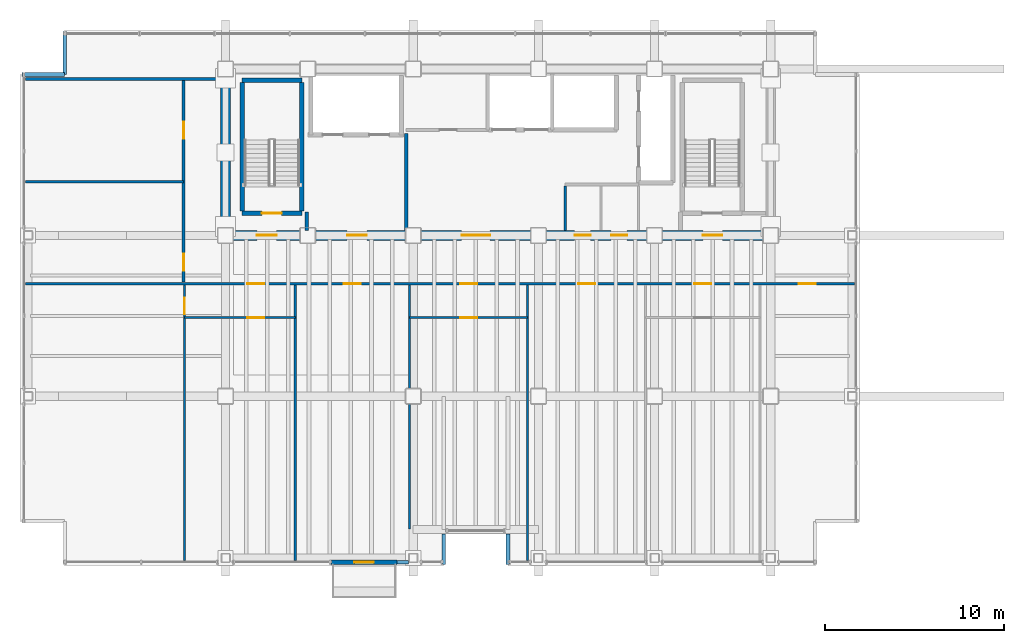
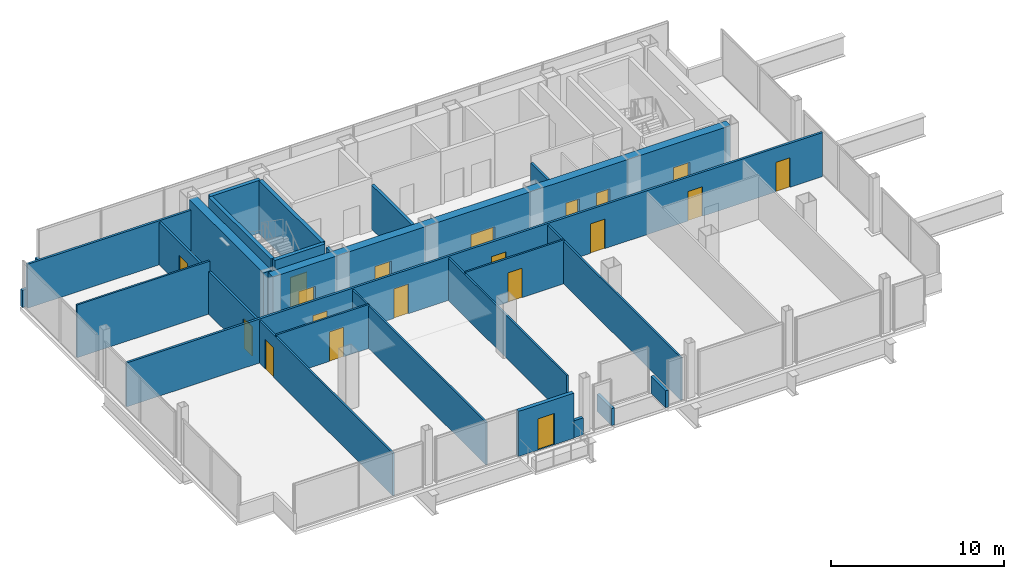
# One storey, part 22 of 24: 25 walls, 19 doors, 19 openings.
"""IFC4 building model written with IfcOpenShell, lengths in metres."""

from ifc_helpers import new_model, si_unit, direction, frame, frame_2d, origin, place, context, subcontext, project, spatial, rectangle, extrude, material, layer, layer_set, type_object, element, fill, save


model = new_model("IFC4")

# Units and contexts
model_context = context("Model", 3, precision=1e-05, world=origin(), true_north=direction((0.0, 1.0)))
body_context = subcontext(model_context, "Body", "Model", "MODEL_VIEW")
ifc_project = project(units=[si_unit("LENGTHUNIT", "METRE"), si_unit("AREAUNIT", "SQUARE_METRE"), si_unit("VOLUMEUNIT", "CUBIC_METRE"), si_unit("PLANEANGLEUNIT", "RADIAN"), si_unit("MASSUNIT", "GRAM", prefix="KILO")], contexts=[model_context])

# Site, building, storey
site_placement = place(None, origin())
site = spatial("IfcSite", under=ifc_project, at=site_placement, CompositionType="ELEMENT")
building_placement = place(site_placement, origin())
building = spatial("IfcBuilding", under=site, at=building_placement, Name="Noeulbin Bourse Tower", CompositionType="ELEMENT")
storey_placement = place(building_placement, frame((0.0, 0.0, 114.89990234375)))
storey = spatial("IfcBuildingStorey", under=building, at=storey_placement, Name="L28", CompositionType="ELEMENT", Elevation=114.89990234375)

# Wall, openings, doors
ifc_material_1 = material(Name="Concrete C60/75", Category="concrete")
ifc_layer_1 = layer(ifc_material_1, 0.550048828125)
ifc_layer_set_1 = layer_set([ifc_layer_1], Name="Concrete C60/75")
wall_type_1 = type_object("IfcWallType", Name="WAL-CORE-550", PredefinedType="SHEAR", material=ifc_layer_set_1)
wall_1_placement = place(storey_placement, frame((13.5, 29.0, 0.0), z_axis=(0.0, 0.0, 1.0), x_axis=(1.0, 0.0, 0.0)))
wall_1 = element("IfcWall", 1, at=wall_1_placement, inside=storey, type_object=wall_type_1, Name="Rear Core South Shear Wall L28", PredefinedType="SHEAR", context=body_context, shape_type="SweptSolid", body=[
    extrude(rectangle(XDim=30.5, YDim=0.550048828125, at=frame_2d((15.25, 0.0))), origin(), (0.0, 0.0, 1.0), 3.72021484375),
])
opening_1_placement = place(wall_1_placement, frame((1.75, 0.0, 0.0)))
opening_1 = element("IfcOpeningElement", 2, at=opening_1_placement, cuts=wall_1, Name="Opening FD-11", PredefinedType="OPENING", context=body_context, shape_type="SweptSolid", body=[
    extrude(rectangle(XDim=1.10009765625, YDim=2.080078125, at=frame_2d((0.550048828125, 1.0400390625))), frame((0.0, 0.284912109375, 0.0), z_axis=(0.0, -1.0, 0.0), x_axis=(1.0, 0.0, 0.0)), (0.0, 0.0, 1.0), 0.570068359375),
])
opening_2_placement = place(wall_1_placement, frame((26.699951171875, 0.0, 0.0)))
opening_2 = element("IfcOpeningElement", 3, at=opening_2_placement, cuts=wall_1, Name="Opening FD-11", PredefinedType="OPENING", context=body_context, shape_type="SweptSolid", body=[
    extrude(rectangle(XDim=1.10009765625, YDim=2.080078125, at=frame_2d((0.550048828125, 1.0400390625))), frame((0.0, 0.284912109375, 0.0), z_axis=(0.0, -1.0, 0.0), x_axis=(1.0, 0.0, 0.0)), (0.0, 0.0, 1.0), 0.570068359375),
])
opening_3_placement = place(wall_1_placement, frame((6.800048828125, 0.0, 0.0)))
opening_3 = element("IfcOpeningElement", 4, at=opening_3_placement, cuts=wall_1, Name="Opening FD-11", PredefinedType="OPENING", context=body_context, shape_type="SweptSolid", body=[
    extrude(rectangle(XDim=1.10009765625, YDim=2.080078125, at=frame_2d((0.550048828125, 1.0400390625))), frame((0.0, 0.284912109375, 0.0), z_axis=(0.0, -1.0, 0.0), x_axis=(1.0, 0.0, 0.0)), (0.0, 0.0, 1.0), 0.570068359375),
])
opening_4_placement = place(wall_1_placement, frame((13.199951171875, 0.0, 0.0)))
opening_4 = element("IfcOpeningElement", 5, at=opening_4_placement, cuts=wall_1, Name="Opening ID-16", PredefinedType="OPENING", context=body_context, shape_type="SweptSolid", body=[
    extrude(rectangle(XDim=1.60009765625, YDim=2.080078125, at=frame_2d((0.800048828125, 1.0400390625))), frame((0.0, 0.284912109375, 0.0), z_axis=(0.0, -1.0, 0.0), x_axis=(1.0, 0.0, 0.0)), (0.0, 0.0, 1.0), 0.570068359375),
])
opening_5_placement = place(wall_1_placement, frame((19.530029296875, 0.0, 0.0)))
opening_5 = element("IfcOpeningElement", 6, at=opening_5_placement, cuts=wall_1, Name="Opening FD-09", PredefinedType="OPENING", context=body_context, shape_type="SweptSolid", body=[
    extrude(rectangle(XDim=0.89990234375, YDim=2.080078125, at=frame_2d((0.449951171875, 1.0400390625))), frame((0.0, 0.284912109375, 0.0), z_axis=(0.0, -1.0, 0.0), x_axis=(1.0, 0.0, 0.0)), (0.0, 0.0, 1.0), 0.570068359375),
])
opening_6_placement = place(wall_1_placement, frame((21.570068359375, 0.0, 0.0)))
opening_6 = element("IfcOpeningElement", 7, at=opening_6_placement, cuts=wall_1, Name="Opening FD-09", PredefinedType="OPENING", context=body_context, shape_type="SweptSolid", body=[
    extrude(rectangle(XDim=0.89990234375, YDim=2.080078125, at=frame_2d((0.449951171875, 1.0400390625))), frame((0.0, 0.284912109375, 0.0), z_axis=(0.0, -1.0, 0.0), x_axis=(1.0, 0.0, 0.0)), (0.0, 0.0, 1.0), 0.570068359375),
])
ifc_material_2 = material(Name="Acoustic Glazed Aluminium", Category="aluminium")
door_type_1 = type_object("IfcDoorType", Name="DR-DBL-1600", OperationType="DOUBLE_DOOR_SINGLE_SWING", PredefinedType="DOOR", material=ifc_material_2)
door_1_placement = place(opening_4_placement, origin())
door_1 = element("IfcDoor", 8, at=door_1_placement, inside=storey, type_object=door_type_1, Name="Passenger Lift Lobby Portal L28", OperationType="DOUBLE_DOOR_SINGLE_SWING", OverallHeight=2.080078125, OverallWidth=1.60009765625, PredefinedType="DOOR", context=body_context, shape_type="SweptSolid", body=[
    extrude(rectangle(XDim=1.60009765625, YDim=2.080078125, at=frame_2d((0.800048828125, 1.0400390625))), frame((0.0, 0.02490234375, 0.0), z_axis=(0.0, -1.0, 0.0), x_axis=(1.0, 0.0, 0.0)), (0.0, 0.0, 1.0), 0.050048828125),
])
fill(opening_4, door_1)
ifc_material_3 = material(Name="Fire-Rated Timber Core", Category="wood")
door_type_2 = type_object("IfcDoorType", Name="DR-FD30-900", OperationType="SINGLE_SWING_RIGHT", PredefinedType="DOOR", material=ifc_material_3)
door_2_placement = place(opening_5_placement, origin())
door_2 = element("IfcDoor", 9, at=door_2_placement, inside=storey, type_object=door_type_2, Name="Interior Door L28-06", OperationType="SINGLE_SWING_RIGHT", OverallHeight=2.080078125, OverallWidth=0.89990234375, PredefinedType="DOOR", context=body_context, shape_type="SweptSolid", body=[
    extrude(rectangle(XDim=0.89990234375, YDim=2.080078125, at=frame_2d((0.449951171875, 1.0400390625))), frame((0.0, 0.02490234375, 0.0), z_axis=(0.0, -1.0, 0.0), x_axis=(1.0, 0.0, 0.0)), (0.0, 0.0, 1.0), 0.050048828125),
])
fill(opening_5, door_2)
door_3_placement = place(opening_6_placement, origin())
door_3 = element("IfcDoor", 10, at=door_3_placement, inside=storey, type_object=door_type_2, Name="Interior Door L28-07", OperationType="SINGLE_SWING_LEFT", OverallHeight=2.080078125, OverallWidth=0.89990234375, PredefinedType="DOOR", context=body_context, shape_type="SweptSolid", body=[
    extrude(rectangle(XDim=0.89990234375, YDim=2.080078125, at=frame_2d((0.449951171875, 1.0400390625))), frame((0.0, 0.02490234375, 0.0), z_axis=(0.0, -1.0, 0.0), x_axis=(1.0, 0.0, 0.0)), (0.0, 0.0, 1.0), 0.050048828125),
])
fill(opening_6, door_3)
ifc_material_4 = material(Name="Fire-Rated Insulated Steel", Category="steel")
door_type_3 = type_object("IfcDoorType", Name="DR-FD60-1100", OperationType="SINGLE_SWING_LEFT", PredefinedType="DOOR", material=ifc_material_4)
door_4_placement = place(opening_1_placement, origin())
door_4 = element("IfcDoor", 11, at=door_4_placement, inside=storey, type_object=door_type_3, Name="West Stair Lobby Door L28", OperationType="SINGLE_SWING_LEFT", OverallHeight=2.080078125, OverallWidth=1.10009765625, PredefinedType="DOOR", context=body_context, shape_type="SweptSolid", body=[
    extrude(rectangle(XDim=1.10009765625, YDim=2.080078125, at=frame_2d((0.550048828125, 1.0400390625))), frame((0.0, 0.02490234375, 0.0), z_axis=(0.0, -1.0, 0.0), x_axis=(1.0, 0.0, 0.0)), (0.0, 0.0, 1.0), 0.050048828125),
])
fill(opening_1, door_4)
door_5_placement = place(opening_2_placement, origin())
door_5 = element("IfcDoor", 12, at=door_5_placement, inside=storey, type_object=door_type_3, Name="East Stair Lobby Door L28", OperationType="SINGLE_SWING_RIGHT", OverallHeight=2.080078125, OverallWidth=1.10009765625, PredefinedType="DOOR", context=body_context, shape_type="SweptSolid", body=[
    extrude(rectangle(XDim=1.10009765625, YDim=2.080078125, at=frame_2d((0.550048828125, 1.0400390625))), frame((0.0, 0.02490234375, 0.0), z_axis=(0.0, -1.0, 0.0), x_axis=(1.0, 0.0, 0.0)), (0.0, 0.0, 1.0), 0.050048828125),
])
fill(opening_2, door_5)
door_6_placement = place(opening_3_placement, origin())
door_6 = element("IfcDoor", 13, at=door_6_placement, inside=storey, type_object=door_type_3, Name="Firefighting Lobby Door L28", OperationType="SINGLE_SWING_LEFT", OverallHeight=2.080078125, OverallWidth=1.10009765625, PredefinedType="DOOR", context=body_context, shape_type="SweptSolid", body=[
    extrude(rectangle(XDim=1.10009765625, YDim=2.080078125, at=frame_2d((0.550048828125, 1.0400390625))), frame((0.0, 0.02490234375, 0.0), z_axis=(0.0, -1.0, 0.0), x_axis=(1.0, 0.0, 0.0)), (0.0, 0.0, 1.0), 0.050048828125),
])
fill(opening_3, door_6)

# Wall
wall_2_placement = place(storey_placement, frame((13.5, 29.35009765625, 0.0), z_axis=(0.0, 0.0, 1.0), x_axis=(0.0, 1.0, 0.0)))
element("IfcWall", 14, at=wall_2_placement, inside=storey, type_object=wall_type_1, Name="Rear Core West Shear Wall L28", PredefinedType="SHEAR", context=body_context, shape_type="SweptSolid", body=[
    extrude(rectangle(XDim=8.599853515625, YDim=0.550048828125, at=frame_2d((4.2998046875, 0.0))), origin(), (0.0, 0.0, 1.0), 3.72021484375),
])

# Wall, opening, door
ifc_material_5 = material(Name="Precast Concrete C40/50", Category="concrete")
ifc_layer_2 = layer(ifc_material_5, 0.25)
ifc_layer_set_2 = layer_set([ifc_layer_2], Name="Precast Concrete C40/50")
wall_type_2 = type_object("IfcWallType", Name="WAL-EXT-250", PredefinedType="STANDARD", material=ifc_layer_set_2)
wall_3_placement = place(storey_placement, frame((19.39990234375, 10.719970703125, 0.0), z_axis=(0.0, 0.0, 1.0), x_axis=(1.0, 0.0, 0.0)))
wall_3 = element("IfcWall", 15, at=wall_3_placement, inside=storey, type_object=wall_type_2, Name="Balcony Threshold Wall L28", PredefinedType="STANDARD", context=body_context, shape_type="SweptSolid", body=[
    extrude(rectangle(XDim=3.7001953125, YDim=0.25, at=frame_2d((1.85009765625, 0.0))), origin(), (0.0, 0.0, 1.0), 3.18017578125),
])
opening_7_placement = place(wall_3_placement, frame((1.300048828125, 0.0, 0.0)))
opening_7 = element("IfcOpeningElement", 16, at=opening_7_placement, cuts=wall_3, Name="Opening BD-11", PredefinedType="OPENING", context=body_context, shape_type="SweptSolid", body=[
    extrude(rectangle(XDim=1.10009765625, YDim=2.199951171875, at=frame_2d((0.550048828125, 1.10009765625))), frame((0.0, 0.135009765625, 0.0), z_axis=(0.0, -1.0, 0.0), x_axis=(1.0, 0.0, 0.0)), (0.0, 0.0, 1.0), 0.27001953125),
])
ifc_material_6 = material(Name="Thermally Broken Aluminium Framed Glass", Category="aluminium")
door_type_4 = type_object("IfcDoorType", Name="DR-BAL-1100", OperationType="SINGLE_SWING_LEFT", PredefinedType="DOOR", material=ifc_material_6)
door_7_placement = place(opening_7_placement, origin())
door_7 = element("IfcDoor", 17, at=door_7_placement, inside=storey, type_object=door_type_4, Name="Tree-Balcony Access Door BD-L28", OperationType="SINGLE_SWING_RIGHT", OverallHeight=2.199951171875, OverallWidth=1.10009765625, PredefinedType="DOOR", context=body_context, shape_type="SweptSolid", body=[
    extrude(rectangle(XDim=1.10009765625, YDim=2.199951171875, at=frame_2d((0.550048828125, 1.10009765625))), frame((0.0, 0.02490234375, 0.0), z_axis=(0.0, -1.0, 0.0), x_axis=(1.0, 0.0, 0.0)), (0.0, 0.0, 1.0), 0.050048828125),
])
fill(opening_7, door_7)

# Walls
ifc_material_7 = material(Name="Concrete C40/50", Category="concrete")
ifc_layer_3 = layer(ifc_material_7, 0.199951171875)
ifc_layer_set_3 = layer_set([ifc_layer_3], Name="Concrete C40/50")
wall_type_3 = type_object("IfcWallType", Name="WAL-FIRE-200", PredefinedType="STANDARD", material=ifc_layer_set_3)
wall_4_placement = place(storey_placement, frame((18.050048828125, 29.284912109375, 0.0), z_axis=(0.0, 0.0, 1.0), x_axis=(0.0, 1.0, 0.0)))
element("IfcWall", 18, at=wall_4_placement, inside=storey, type_object=wall_type_3, Name="Interior Partition Wall L28-10", PredefinedType="STANDARD", context=body_context, shape_type="SweptSolid", body=[
    extrude(rectangle(XDim=1.01513671875, YDim=0.199951171875, at=frame_2d((0.507568359375, 0.0))), origin(), (0.0, 0.0, 1.0), 3.300048828125),
])
wall_5_placement = place(storey_placement, frame((23.60009765625, 29.284912109375, 0.0), z_axis=(0.0, 0.0, 1.0), x_axis=(0.0, 1.0, 0.0)))
element("IfcWall", 19, at=wall_5_placement, inside=storey, type_object=wall_type_3, Name="Interior Partition Wall L28-12", PredefinedType="STANDARD", context=body_context, shape_type="SweptSolid", body=[
    extrude(rectangle(XDim=5.4150390625, YDim=0.199951171875, at=frame_2d((2.70751953125, 0.0))), origin(), (0.0, 0.0, 1.0), 3.10009765625),
])
ifc_layer_4 = layer(ifc_material_7, 0.199951171875)
ifc_layer_set_4 = layer_set([ifc_layer_4], Name="Concrete C40/50")
wall_type_4 = type_object("IfcWallType", Name="WAL-PAR-200", PredefinedType="PARAPET", material=ifc_layer_set_4)
wall_6_placement = place(storey_placement, frame((23.10009765625, 10.719970703125, 0.0), z_axis=(0.0, 0.0, 1.0), x_axis=(1.0, 0.0, 0.0)))
element("IfcWall", 20, at=wall_6_placement, inside=storey, type_object=wall_type_4, Name="Perimeter Pier Spandrel Parapet L28-S1", PredefinedType="PARAPET", context=body_context, shape_type="SweptSolid", body=[
    extrude(rectangle(XDim=0.6298828125, YDim=0.199951171875, at=frame_2d((0.31494140625, 0.0))), origin(), (0.0, 0.0, 1.0), 1.2001953125),
])
for number, where, z_axis, x_axis, name in (
    (21, (2.10009765625, 38.0, 0.0), (0.0, 0.0, 1.0), (1.0, 0.0, 0.0), "Corner Notch Parapet L28-NW1"),
    (22, (4.5, 38.0, 0.0), (0.0, 0.0, 1.0), (0.0, 1.0, 0.0), "Corner Notch Parapet L28-NW2"),
):
    element("IfcWall", number, at=place(storey_placement, frame(where, z_axis=z_axis, x_axis=x_axis)), inside=storey, type_object=wall_type_4, Name=name, PredefinedType="PARAPET", context=body_context, shape_type="SweptSolid", body=[
        extrude(rectangle(XDim=2.39990234375, YDim=0.199951171875, at=frame_2d((1.199951171875, 0.0))), origin(), (0.0, 0.0, 1.0), 1.2001953125),
    ])
for number, where, z_axis, x_axis, name in (
    (23, (25.699951171875, 10.60009765625, 0.0), (0.0, 0.0, 1.0), (0.0, 1.0, 0.0), "Sky-Garden Recess Parapet L28-W"),
    (24, (29.300048828125, 12.300048828125, 0.0), (0.0, 0.0, 1.0), (0.0, -1.0, 0.0), "Sky-Garden Recess Parapet L28-E"),
):
    element("IfcWall", number, at=place(storey_placement, frame(where, z_axis=z_axis, x_axis=x_axis)), inside=storey, type_object=wall_type_4, Name=name, PredefinedType="PARAPET", context=body_context, shape_type="SweptSolid", body=[
        extrude(rectangle(XDim=1.699951171875, YDim=0.199951171875, at=frame_2d((0.85009765625, 0.0))), origin(), (0.0, 0.0, 1.0), 1.2001953125),
    ])

# Wall, opening, door
ifc_material_8 = material(Name="Steel Stud Gypsum Partition", Category="steel")
ifc_layer_5 = layer(ifc_material_8, 0.1201171875)
ifc_layer_set_5 = layer_set([ifc_layer_5], Name="Steel Stud Gypsum Partition")
wall_type_5 = type_object("IfcWallType", Name="WAL-PRT-120", PredefinedType="PARTITIONING", material=ifc_layer_set_5)
wall_7_placement = place(storey_placement, frame((11.199951171875, 24.39990234375, 0.0), z_axis=(0.0, 0.0, 1.0), x_axis=(1.0, 0.0, 0.0)))
wall_7 = element("IfcWall", 25, at=wall_7_placement, inside=storey, type_object=wall_type_5, Name="Interior Partition Wall L28-06", PredefinedType="PARTITIONING", context=body_context, shape_type="SweptSolid", body=[
    extrude(rectangle(XDim=6.199951171875, YDim=0.1201171875, at=frame_2d((3.10009765625, 0.0))), origin(), (0.0, 0.0, 1.0), 3.10009765625),
])
opening_8_placement = place(wall_7_placement, frame((3.52490234375, 0.0, 0.0)))
opening_8 = element("IfcOpeningElement", 26, at=opening_8_placement, cuts=wall_7, Name="Opening ID-09", PredefinedType="OPENING", context=body_context, shape_type="SweptSolid", body=[
    extrude(rectangle(XDim=0.949951171875, YDim=2.080078125, at=frame_2d((0.47509765625, 1.0400390625))), frame((0.0, 0.070068359375, 0.0), z_axis=(0.0, -1.0, 0.0), x_axis=(1.0, 0.0, 0.0)), (0.0, 0.0, 1.0), 0.14013671875),
])
ifc_material_9 = material(Name="Acoustic Solid-Core Timber", Category="wood")
door_type_5 = type_object("IfcDoorType", Name="DR-SINGLE-950", OperationType="SINGLE_SWING_LEFT", PredefinedType="DOOR", material=ifc_material_9)
door_8_placement = place(opening_8_placement, origin())
door_8 = element("IfcDoor", 27, at=door_8_placement, inside=storey, type_object=door_type_5, Name="Interior Door L28-09", OperationType="SINGLE_SWING_LEFT", OverallHeight=2.080078125, OverallWidth=0.949951171875, PredefinedType="DOOR", context=body_context, shape_type="SweptSolid", body=[
    extrude(rectangle(XDim=0.949951171875, YDim=2.080078125, at=frame_2d((0.47509765625, 1.0400390625))), frame((0.0, 0.02490234375, 0.0), z_axis=(0.0, -1.0, 0.0), x_axis=(1.0, 0.0, 0.0)), (0.0, 0.0, 1.0), 0.050048828125),
])
fill(opening_8, door_8)

wall_8_placement = place(storey_placement, frame((23.800048828125, 24.39990234375, 0.0), z_axis=(0.0, 0.0, 1.0), x_axis=(1.0, 0.0, 0.0)))
wall_8 = element("IfcWall", 28, at=wall_8_placement, inside=storey, type_object=wall_type_5, Name="Interior Partition Wall L28-07", PredefinedType="PARTITIONING", context=body_context, shape_type="SweptSolid", body=[
    extrude(rectangle(XDim=6.599853515625, YDim=0.1201171875, at=frame_2d((3.2998046875, 0.0))), origin(), (0.0, 0.0, 1.0), 3.10009765625),
])
opening_9_placement = place(wall_8_placement, frame((2.824951171875, 0.0, 0.0)))
opening_9 = element("IfcOpeningElement", 29, at=opening_9_placement, cuts=wall_8, Name="Opening ID-09", PredefinedType="OPENING", context=body_context, shape_type="SweptSolid", body=[
    extrude(rectangle(XDim=0.949951171875, YDim=2.080078125, at=frame_2d((0.47509765625, 1.0400390625))), frame((0.0, 0.070068359375, 0.0), z_axis=(0.0, -1.0, 0.0), x_axis=(1.0, 0.0, 0.0)), (0.0, 0.0, 1.0), 0.14013671875),
])
door_9_placement = place(opening_9_placement, origin())
door_9 = element("IfcDoor", 30, at=door_9_placement, inside=storey, type_object=door_type_5, Name="Interior Door L28-12", OperationType="SINGLE_SWING_RIGHT", OverallHeight=2.080078125, OverallWidth=0.949951171875, PredefinedType="DOOR", context=body_context, shape_type="SweptSolid", body=[
    extrude(rectangle(XDim=0.949951171875, YDim=2.080078125, at=frame_2d((0.47509765625, 1.0400390625))), frame((0.0, 0.02490234375, 0.0), z_axis=(0.0, -1.0, 0.0), x_axis=(1.0, 0.0, 0.0)), (0.0, 0.0, 1.0), 0.050048828125),
])
fill(opening_9, door_9)

# Wall
wall_9_placement = place(storey_placement, frame((2.31005859375, 32.0, 0.0), z_axis=(0.0, 0.0, 1.0), x_axis=(1.0, 0.0, 0.0)))
element("IfcWall", 31, at=wall_9_placement, inside=storey, type_object=wall_type_5, Name="Interior Partition Wall L28-09", PredefinedType="PARTITIONING", context=body_context, shape_type="SweptSolid", body=[
    extrude(rectangle(XDim=8.83984375, YDim=0.1201171875, at=frame_2d((4.419921875, 0.0))), origin(), (0.0, 0.0, 1.0), 3.72021484375),
])

# Wall, opening, door
wall_10_placement = place(storey_placement, frame((11.199951171875, 10.81005859375, 0.0), z_axis=(0.0, 0.0, 1.0), x_axis=(0.0, 1.0, 0.0)))
wall_10 = element("IfcWall", 32, at=wall_10_placement, inside=storey, type_object=wall_type_5, Name="Interior Partition Wall L28-17", PredefinedType="PARTITIONING", context=body_context, shape_type="SweptSolid", body=[
    extrude(rectangle(XDim=15.405029296875, YDim=0.1201171875, at=frame_2d((7.70263671875, 0.0))), origin(), (0.0, 0.0, 1.0), 3.0),
])
opening_10_placement = place(wall_10_placement, frame((13.764892578125, 0.0, 0.0)))
opening_10 = element("IfcOpeningElement", 33, at=opening_10_placement, cuts=wall_10, Name="Opening ID-09", PredefinedType="OPENING", context=body_context, shape_type="SweptSolid", body=[
    extrude(rectangle(XDim=0.949951171875, YDim=2.080078125, at=frame_2d((0.47509765625, 1.0400390625))), frame((0.0, 0.070068359375, 0.0), z_axis=(0.0, -1.0, 0.0), x_axis=(1.0, 0.0, 0.0)), (0.0, 0.0, 1.0), 0.14013671875),
])
door_10_placement = place(opening_10_placement, origin())
door_10 = element("IfcDoor", 34, at=door_10_placement, inside=storey, type_object=door_type_5, Name="Interior Door L28-08", OperationType="SINGLE_SWING_RIGHT", OverallHeight=2.080078125, OverallWidth=0.949951171875, PredefinedType="DOOR", context=body_context, shape_type="SweptSolid", body=[
    extrude(rectangle(XDim=0.949951171875, YDim=2.080078125, at=frame_2d((0.47509765625, 1.0400390625))), frame((0.0, 0.02490234375, 0.0), z_axis=(0.0, -1.0, 0.0), x_axis=(1.0, 0.0, 0.0)), (0.0, 0.0, 1.0), 0.050048828125),
])
fill(opening_10, door_10)

# Walls
wall_11_placement = place(storey_placement, frame((17.39990234375, 10.81005859375, 0.0), z_axis=(0.0, 0.0, 1.0), x_axis=(0.0, 1.0, 0.0)))
element("IfcWall", 35, at=wall_11_placement, inside=storey, type_object=wall_type_5, Name="Interior Partition Wall L28-18", PredefinedType="PARTITIONING", context=body_context, shape_type="SweptSolid", body=[
    extrude(rectangle(XDim=15.405029296875, YDim=0.1201171875, at=frame_2d((7.70263671875, 0.0))), origin(), (0.0, 0.0, 1.0), 3.0),
])
wall_12_placement = place(storey_placement, frame((23.800048828125, 12.570068359375, 0.0), z_axis=(0.0, 0.0, 1.0), x_axis=(0.0, 1.0, 0.0)))
element("IfcWall", 36, at=wall_12_placement, inside=storey, type_object=wall_type_5, Name="Interior Partition Wall L28-19", PredefinedType="PARTITIONING", context=body_context, shape_type="SweptSolid", body=[
    extrude(rectangle(XDim=13.64501953125, YDim=0.1201171875, at=frame_2d((6.822509765625, 0.0))), origin(), (0.0, 0.0, 1.0), 3.0),
])
wall_13_placement = place(storey_placement, frame((30.39990234375, 10.81005859375, 0.0), z_axis=(0.0, 0.0, 1.0), x_axis=(0.0, 1.0, 0.0)))
element("IfcWall", 37, at=wall_13_placement, inside=storey, type_object=wall_type_5, Name="Interior Partition Wall L28-20", PredefinedType="PARTITIONING", context=body_context, shape_type="SweptSolid", body=[
    extrude(rectangle(XDim=15.405029296875, YDim=0.1201171875, at=frame_2d((7.70263671875, 0.0))), origin(), (0.0, 0.0, 1.0), 3.0),
])

# Wall, openings, doors
ifc_material_10 = material(Name="Steel Stud Acoustic Gypsum Board", Category="steel")
ifc_layer_6 = layer(ifc_material_10, 0.14990234375)
ifc_layer_set_6 = layer_set([ifc_layer_6], Name="Steel Stud Acoustic Gypsum Board")
wall_type_6 = type_object("IfcWallType", Name="WAL-PRT-150", PredefinedType="PARTITIONING", material=ifc_layer_set_6)
wall_14_placement = place(storey_placement, frame((2.31005859375, 26.300048828125, 0.0), z_axis=(0.0, 0.0, 1.0), x_axis=(1.0, 0.0, 0.0)))
wall_14 = element("IfcWall", 38, at=wall_14_placement, inside=storey, type_object=wall_type_6, Name="Interior Partition Wall L28-04", PredefinedType="PARTITIONING", context=body_context, shape_type="SweptSolid", body=[
    extrude(rectangle(XDim=46.3798828125, YDim=0.14990234375, at=frame_2d((23.18994140625, 0.0))), origin(), (0.0, 0.0, 1.0), 3.10009765625),
])
opening_11_placement = place(wall_14_placement, frame((12.4150390625, 0.0, 0.0)))
opening_11 = element("IfcOpeningElement", 39, at=opening_11_placement, cuts=wall_14, Name="Opening ID-09", PredefinedType="OPENING", context=body_context, shape_type="SweptSolid", body=[
    extrude(rectangle(XDim=0.949951171875, YDim=2.080078125, at=frame_2d((0.47509765625, 1.0400390625))), frame((0.0, 0.0849609375, 0.0), z_axis=(0.0, -1.0, 0.0), x_axis=(1.0, 0.0, 0.0)), (0.0, 0.0, 1.0), 0.169921875),
])
opening_12_placement = place(wall_14_placement, frame((17.81494140625, 0.0, 0.0)))
opening_12 = element("IfcOpeningElement", 40, at=opening_12_placement, cuts=wall_14, Name="Opening ID-09", PredefinedType="OPENING", context=body_context, shape_type="SweptSolid", body=[
    extrude(rectangle(XDim=0.949951171875, YDim=2.080078125, at=frame_2d((0.47509765625, 1.0400390625))), frame((0.0, 0.0849609375, 0.0), z_axis=(0.0, -1.0, 0.0), x_axis=(1.0, 0.0, 0.0)), (0.0, 0.0, 1.0), 0.169921875),
])
opening_13_placement = place(wall_14_placement, frame((24.31494140625, 0.0, 0.0)))
opening_13 = element("IfcOpeningElement", 41, at=opening_13_placement, cuts=wall_14, Name="Opening ID-09", PredefinedType="OPENING", context=body_context, shape_type="SweptSolid", body=[
    extrude(rectangle(XDim=0.949951171875, YDim=2.080078125, at=frame_2d((0.47509765625, 1.0400390625))), frame((0.0, 0.0849609375, 0.0), z_axis=(0.0, -1.0, 0.0), x_axis=(1.0, 0.0, 0.0)), (0.0, 0.0, 1.0), 0.169921875),
])
opening_14_placement = place(wall_14_placement, frame((30.9150390625, 0.0, 0.0)))
opening_14 = element("IfcOpeningElement", 42, at=opening_14_placement, cuts=wall_14, Name="Opening ID-09", PredefinedType="OPENING", context=body_context, shape_type="SweptSolid", body=[
    extrude(rectangle(XDim=0.949951171875, YDim=2.080078125, at=frame_2d((0.47509765625, 1.0400390625))), frame((0.0, 0.0849609375, 0.0), z_axis=(0.0, -1.0, 0.0), x_axis=(1.0, 0.0, 0.0)), (0.0, 0.0, 1.0), 0.169921875),
])
opening_15_placement = place(wall_14_placement, frame((37.4150390625, 0.0, 0.0)))
opening_15 = element("IfcOpeningElement", 43, at=opening_15_placement, cuts=wall_14, Name="Opening ID-09", PredefinedType="OPENING", context=body_context, shape_type="SweptSolid", body=[
    extrude(rectangle(XDim=0.949951171875, YDim=2.080078125, at=frame_2d((0.47509765625, 1.0400390625))), frame((0.0, 0.0849609375, 0.0), z_axis=(0.0, -1.0, 0.0), x_axis=(1.0, 0.0, 0.0)), (0.0, 0.0, 1.0), 0.169921875),
])
opening_16_placement = place(wall_14_placement, frame((43.260009765625, 0.0, 0.0)))
opening_16 = element("IfcOpeningElement", 44, at=opening_16_placement, cuts=wall_14, Name="Opening ID-09", PredefinedType="OPENING", context=body_context, shape_type="SweptSolid", body=[
    extrude(rectangle(XDim=0.949951171875, YDim=2.080078125, at=frame_2d((0.47509765625, 1.0400390625))), frame((0.0, 0.0849609375, 0.0), z_axis=(0.0, -1.0, 0.0), x_axis=(1.0, 0.0, 0.0)), (0.0, 0.0, 1.0), 0.169921875),
])
door_11_placement = place(opening_11_placement, origin())
door_11 = element("IfcDoor", 45, at=door_11_placement, inside=storey, type_object=door_type_5, Name="Interior Door L28-10", OperationType="SINGLE_SWING_RIGHT", OverallHeight=2.080078125, OverallWidth=0.949951171875, PredefinedType="DOOR", context=body_context, shape_type="SweptSolid", body=[
    extrude(rectangle(XDim=0.949951171875, YDim=2.080078125, at=frame_2d((0.47509765625, 1.0400390625))), frame((0.0, 0.02490234375, 0.0), z_axis=(0.0, -1.0, 0.0), x_axis=(1.0, 0.0, 0.0)), (0.0, 0.0, 1.0), 0.050048828125),
])
fill(opening_11, door_11)
door_12_placement = place(opening_12_placement, origin())
door_12 = element("IfcDoor", 46, at=door_12_placement, inside=storey, type_object=door_type_5, Name="Interior Door L28-11", OperationType="SINGLE_SWING_LEFT", OverallHeight=2.080078125, OverallWidth=0.949951171875, PredefinedType="DOOR", context=body_context, shape_type="SweptSolid", body=[
    extrude(rectangle(XDim=0.949951171875, YDim=2.080078125, at=frame_2d((0.47509765625, 1.0400390625))), frame((0.0, 0.02490234375, 0.0), z_axis=(0.0, -1.0, 0.0), x_axis=(1.0, 0.0, 0.0)), (0.0, 0.0, 1.0), 0.050048828125),
])
fill(opening_12, door_12)
door_13_placement = place(opening_13_placement, origin())
door_13 = element("IfcDoor", 47, at=door_13_placement, inside=storey, type_object=door_type_5, Name="Interior Door L28-13", OperationType="SINGLE_SWING_LEFT", OverallHeight=2.080078125, OverallWidth=0.949951171875, PredefinedType="DOOR", context=body_context, shape_type="SweptSolid", body=[
    extrude(rectangle(XDim=0.949951171875, YDim=2.080078125, at=frame_2d((0.47509765625, 1.0400390625))), frame((0.0, 0.02490234375, 0.0), z_axis=(0.0, -1.0, 0.0), x_axis=(1.0, 0.0, 0.0)), (0.0, 0.0, 1.0), 0.050048828125),
])
fill(opening_13, door_13)
door_14_placement = place(opening_14_placement, origin())
door_14 = element("IfcDoor", 48, at=door_14_placement, inside=storey, type_object=door_type_5, Name="Interior Door L28-14", OperationType="SINGLE_SWING_RIGHT", OverallHeight=2.080078125, OverallWidth=0.949951171875, PredefinedType="DOOR", context=body_context, shape_type="SweptSolid", body=[
    extrude(rectangle(XDim=0.949951171875, YDim=2.080078125, at=frame_2d((0.47509765625, 1.0400390625))), frame((0.0, 0.02490234375, 0.0), z_axis=(0.0, -1.0, 0.0), x_axis=(1.0, 0.0, 0.0)), (0.0, 0.0, 1.0), 0.050048828125),
])
fill(opening_14, door_14)
door_15_placement = place(opening_15_placement, origin())
door_15 = element("IfcDoor", 49, at=door_15_placement, inside=storey, type_object=door_type_5, Name="Interior Door L28-16", OperationType="SINGLE_SWING_RIGHT", OverallHeight=2.080078125, OverallWidth=0.949951171875, PredefinedType="DOOR", context=body_context, shape_type="SweptSolid", body=[
    extrude(rectangle(XDim=0.949951171875, YDim=2.080078125, at=frame_2d((0.47509765625, 1.0400390625))), frame((0.0, 0.02490234375, 0.0), z_axis=(0.0, -1.0, 0.0), x_axis=(1.0, 0.0, 0.0)), (0.0, 0.0, 1.0), 0.050048828125),
])
fill(opening_15, door_15)
door_16_placement = place(opening_16_placement, origin())
door_16 = element("IfcDoor", 50, at=door_16_placement, inside=storey, type_object=door_type_5, Name="Interior Door L28-17", OperationType="SINGLE_SWING_LEFT", OverallHeight=2.080078125, OverallWidth=0.949951171875, PredefinedType="DOOR", context=body_context, shape_type="SweptSolid", body=[
    extrude(rectangle(XDim=0.949951171875, YDim=2.080078125, at=frame_2d((0.47509765625, 1.0400390625))), frame((0.0, 0.02490234375, 0.0), z_axis=(0.0, -1.0, 0.0), x_axis=(1.0, 0.0, 0.0)), (0.0, 0.0, 1.0), 0.050048828125),
])
fill(opening_16, door_16)

# Walls
wall_15_placement = place(storey_placement, frame((2.31005859375, 37.75, 0.0), z_axis=(0.0, 0.0, 1.0), x_axis=(1.0, 0.0, 0.0)))
element("IfcWall", 51, at=wall_15_placement, inside=storey, type_object=wall_type_6, Name="Interior Partition Wall L28-05", PredefinedType="PARTITIONING", context=body_context, shape_type="SweptSolid", body=[
    extrude(rectangle(XDim=10.905029296875, YDim=0.14990234375, at=frame_2d((5.45263671875, 0.0))), origin(), (0.0, 0.0, 1.0), 3.10009765625),
])
wall_16_placement = place(storey_placement, frame((32.5, 29.284912109375, 0.0), z_axis=(0.0, 0.0, 1.0), x_axis=(0.0, 1.0, 0.0)))
element("IfcWall", 52, at=wall_16_placement, inside=storey, type_object=wall_type_6, Name="Interior Partition Wall L28-13", PredefinedType="PARTITIONING", context=body_context, shape_type="SweptSolid", body=[
    extrude(rectangle(XDim=2.47998046875, YDim=0.14990234375, at=frame_2d((1.239990234375, 0.0))), origin(), (0.0, 0.0, 1.0), 3.300048828125),
])

# Wall, openings, doors
wall_17_placement = place(storey_placement, frame((11.14990234375, 26.385009765625, 0.0), z_axis=(0.0, 0.0, 1.0), x_axis=(0.0, 1.0, 0.0)))
wall_17 = element("IfcWall", 53, at=wall_17_placement, inside=storey, type_object=wall_type_6, Name="Interior Partition Wall L28-16", PredefinedType="PARTITIONING", context=body_context, shape_type="SweptSolid", body=[
    extrude(rectangle(XDim=11.280029296875, YDim=0.14990234375, at=frame_2d((5.64013671875, 0.0))), origin(), (0.0, 0.0, 1.0), 3.0),
])
opening_17_placement = place(wall_17_placement, frame((0.639892578125, 0.0, 0.0)))
opening_17 = element("IfcOpeningElement", 54, at=opening_17_placement, cuts=wall_17, Name="Opening ID-09", PredefinedType="OPENING", context=body_context, shape_type="SweptSolid", body=[
    extrude(rectangle(XDim=0.949951171875, YDim=2.080078125, at=frame_2d((0.47509765625, 1.0400390625))), frame((0.0, 0.0849609375, 0.0), z_axis=(0.0, -1.0, 0.0), x_axis=(1.0, 0.0, 0.0)), (0.0, 0.0, 1.0), 0.169921875),
])
opening_18_placement = place(wall_17_placement, frame((8.014892578125, 0.0, 0.0)))
opening_18 = element("IfcOpeningElement", 55, at=opening_18_placement, cuts=wall_17, Name="Opening ID-09", PredefinedType="OPENING", context=body_context, shape_type="SweptSolid", body=[
    extrude(rectangle(XDim=0.949951171875, YDim=2.080078125, at=frame_2d((0.47509765625, 1.0400390625))), frame((0.0, 0.0849609375, 0.0), z_axis=(0.0, -1.0, 0.0), x_axis=(1.0, 0.0, 0.0)), (0.0, 0.0, 1.0), 0.169921875),
])
door_17_placement = place(opening_17_placement, origin())
door_17 = element("IfcDoor", 56, at=door_17_placement, inside=storey, type_object=door_type_5, Name="Interior Door L28-18", OperationType="SINGLE_SWING_RIGHT", OverallHeight=2.080078125, OverallWidth=0.949951171875, PredefinedType="DOOR", context=body_context, shape_type="SweptSolid", body=[
    extrude(rectangle(XDim=0.949951171875, YDim=2.080078125, at=frame_2d((0.47509765625, 1.0400390625))), frame((0.0, 0.02490234375, 0.0), z_axis=(0.0, -1.0, 0.0), x_axis=(1.0, 0.0, 0.0)), (0.0, 0.0, 1.0), 0.050048828125),
])
fill(opening_17, door_17)
door_18_placement = place(opening_18_placement, origin())
door_18 = element("IfcDoor", 57, at=door_18_placement, inside=storey, type_object=door_type_5, Name="Interior Door L28-19", OperationType="SINGLE_SWING_LEFT", OverallHeight=2.080078125, OverallWidth=0.949951171875, PredefinedType="DOOR", context=body_context, shape_type="SweptSolid", body=[
    extrude(rectangle(XDim=0.949951171875, YDim=2.080078125, at=frame_2d((0.47509765625, 1.0400390625))), frame((0.0, 0.02490234375, 0.0), z_axis=(0.0, -1.0, 0.0), x_axis=(1.0, 0.0, 0.0)), (0.0, 0.0, 1.0), 0.050048828125),
])
fill(opening_18, door_18)

# Wall, opening, door
ifc_layer_7 = layer(ifc_material_7, 0.25)
ifc_layer_set_7 = layer_set([ifc_layer_7], Name="Concrete C40/50")
wall_type_7 = type_object("IfcWallType", Name="WAL-SHFT-250", PredefinedType="STANDARD", material=ifc_layer_set_7)
wall_18_placement = place(storey_placement, frame((14.429931640625, 30.235107421875, 0.0), z_axis=(0.0, 0.0, 1.0), x_axis=(1.0, 0.0, 0.0)))
wall_18 = element("IfcWall", 58, at=wall_18_placement, inside=storey, type_object=wall_type_7, Name="Stair ST-1 South Shaft Wall L28", PredefinedType="STANDARD", context=body_context, shape_type="SweptSolid", body=[
    extrude(rectangle(XDim=3.340087890625, YDim=0.25, at=frame_2d((1.669921875, 0.0))), origin(), (0.0, 0.0, 1.0), 3.72021484375),
])
opening_19_placement = place(wall_18_placement, frame((1.10009765625, 0.0, 0.0)))
opening_19 = element("IfcOpeningElement", 59, at=opening_19_placement, cuts=wall_18, Name="Opening FD-11", PredefinedType="OPENING", context=body_context, shape_type="SweptSolid", body=[
    extrude(rectangle(XDim=1.10009765625, YDim=2.080078125, at=frame_2d((0.550048828125, 1.0400390625))), frame((0.0, 0.135009765625, 0.0), z_axis=(0.0, -1.0, 0.0), x_axis=(1.0, 0.0, 0.0)), (0.0, 0.0, 1.0), 0.27001953125),
])
door_19_placement = place(opening_19_placement, origin())
door_19 = element("IfcDoor", 60, at=door_19_placement, inside=storey, type_object=door_type_3, Name="Protected Stair Entry Door ST1-L28", OperationType="SINGLE_SWING_LEFT", OverallHeight=2.080078125, OverallWidth=1.10009765625, PredefinedType="DOOR", context=body_context, shape_type="SweptSolid", body=[
    extrude(rectangle(XDim=1.10009765625, YDim=2.080078125, at=frame_2d((0.550048828125, 1.0400390625))), frame((0.0, 0.02490234375, 0.0), z_axis=(0.0, -1.0, 0.0), x_axis=(1.0, 0.0, 0.0)), (0.0, 0.0, 1.0), 0.050048828125),
])
fill(opening_19, door_19)

# Walls
wall_19_placement = place(storey_placement, frame((14.429931640625, 37.6689453125, 0.0), z_axis=(0.0, 0.0, 1.0), x_axis=(1.0, 0.0, 0.0)))
element("IfcWall", 61, at=wall_19_placement, inside=storey, type_object=wall_type_7, Name="Stair ST-1 North Shaft Wall L28", PredefinedType="STANDARD", context=body_context, shape_type="SweptSolid", body=[
    extrude(rectangle(XDim=3.340087890625, YDim=0.25, at=frame_2d((1.669921875, 0.0))), origin(), (0.0, 0.0, 1.0), 3.72021484375),
])
for number, where, z_axis, x_axis, name in (
    (62, (14.425048828125, 30.360107421875, 0.0), (0.0, 0.0, 1.0), (0.0, 1.0, 0.0), "Stair ST-1 West Shaft Wall L28"),
    (63, (17.77490234375, 30.360107421875, 0.0), (0.0, 0.0, 1.0), (0.0, 1.0, 0.0), "Stair ST-1 East Shaft Wall L28"),
):
    element("IfcWall", number, at=place(storey_placement, frame(where, z_axis=z_axis, x_axis=x_axis)), inside=storey, type_object=wall_type_7, Name=name, PredefinedType="STANDARD", context=body_context, shape_type="SweptSolid", body=[
        extrude(rectangle(XDim=7.183837890625, YDim=0.25, at=frame_2d((3.591796875, 0.0))), origin(), (0.0, 0.0, 1.0), 3.72021484375),
    ])

save(model, "model.ifc")
